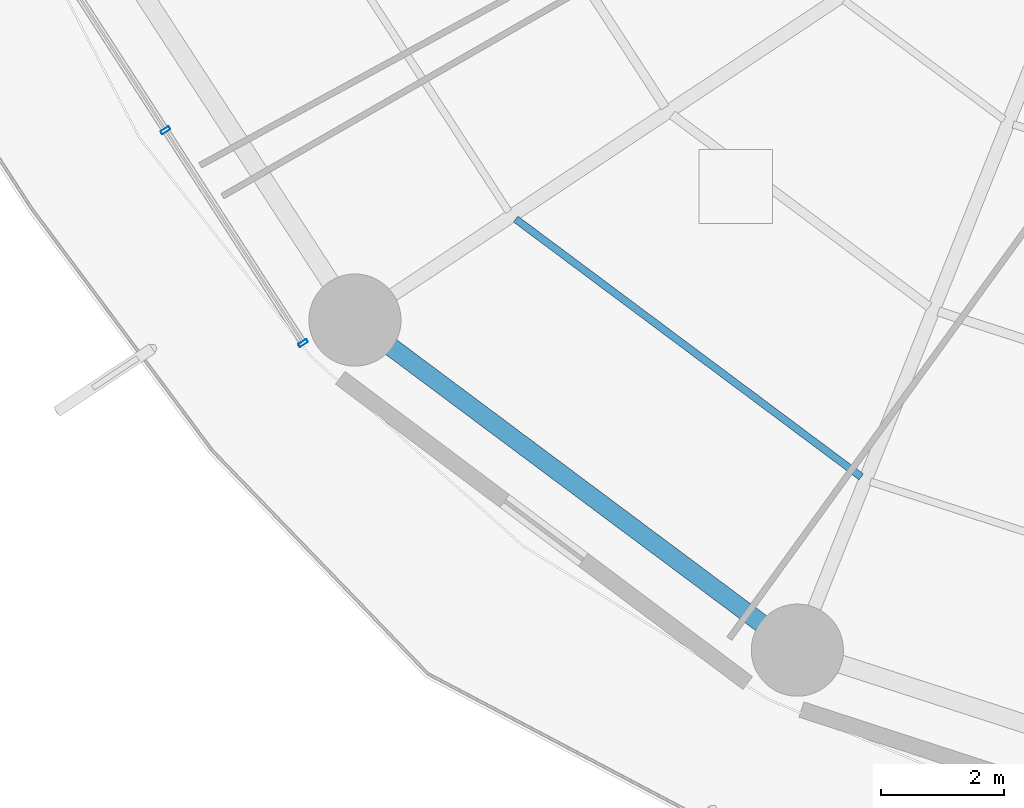
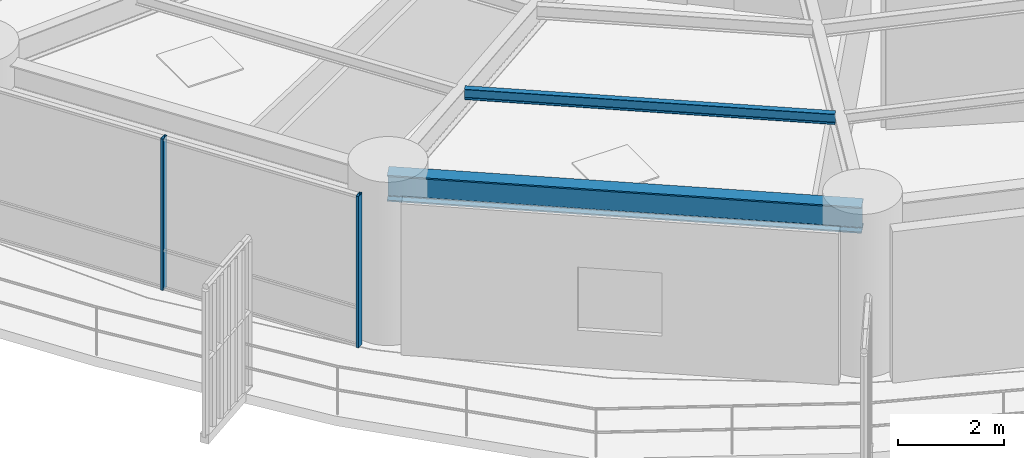
# One storey, part 2 of 33: 2 beams, 2 members, 1 element without a shape of its own.
"""IFC4 building model written with IfcOpenShell, lengths in metres."""

import ifcopenshell
import ifcopenshell.guid

model = None  # the IFC model being written
_history = None  # IfcOwnerHistory: only IFC2X3 demands one
_inside = {}  # id of a spatial element -> (the spatial element, [elements in it])
_under = {}  # id of a project, library or spatial element -> (it, [spatial elements below it])
_declared = {}  # id of a project -> (the project, [libraries it declares])
_typed = {}  # id of a type object -> (the type object, [elements of that type])
_made_of = {}  # id of a material, layer set ... -> (it, [elements and type objects made of it])


def new_model(schema):
    """Start an empty IFC model of exactly this schema.

    Asked for "IFC4X3", IfcOpenShell would pick the latest addendum, in which some entities
    have other attributes; the version numbers below select the first issue.
    IFC2X3 requires an IfcOwnerHistory on every rooted entity: one is made here for all.
    """
    global model, _history
    if schema == "IFC4X3":
        model = ifcopenshell.file(schema_version=(4, 3, 0, 0))
    else:
        model = ifcopenshell.file(schema=schema)
    _inside.clear()
    _under.clear()
    _declared.clear()
    _typed.clear()
    _made_of.clear()
    _history = None
    if model.schema == "IFC2X3":
        org = make("IfcOrganization", Name="unknown")
        user = make(
            "IfcPersonAndOrganization",
            ThePerson=make("IfcPerson", FamilyName="unknown"),
            TheOrganization=org,
        )
        app = make(
            "IfcApplication",
            ApplicationDeveloper=org,
            Version="unknown",
            ApplicationFullName="unknown",
            ApplicationIdentifier="unknown",
        )
        _history = make(
            "IfcOwnerHistory",
            OwningUser=user,
            OwningApplication=app,
            ChangeAction="ADDED",
            CreationDate=0,
        )
    return model


def make(cls, **values):
    """One entity of the class cls with the attributes given. An attribute that is None is left unset."""
    return model.create_entity(
        cls, **{name: value for name, value in values.items() if value is not None}
    )


def rooted(cls, **values):
    """An entity with a GlobalId (a new one), such as an element, a storey or a relation."""
    return make(cls, GlobalId=ifcopenshell.guid.new(), OwnerHistory=_history, **values)


def si_unit(unit_type, name, prefix=None):
    """IfcSIUnit, for example si_unit("LENGTHUNIT", "METRE", prefix="MILLI")."""
    return make("IfcSIUnit", UnitType=unit_type, Prefix=prefix, Name=name)


def assignment(units):
    """IfcUnitAssignment: the units of a project."""
    return None if units is None else make("IfcUnitAssignment", Units=units)


def point(xyz):
    """IfcCartesianPoint."""
    return None if xyz is None else make("IfcCartesianPoint", Coordinates=xyz)


def direction(xyz):
    """IfcDirection."""
    return None if xyz is None else make("IfcDirection", DirectionRatios=xyz)


def frame(location, z_axis=None, x_axis=None):
    """IfcAxis2Placement3D, a coordinate frame: its origin and axes. An axis left out is left unset."""
    return make(
        "IfcAxis2Placement3D",
        Location=point(location),
        Axis=direction(z_axis),
        RefDirection=direction(x_axis),
    )


def frame_2d(location, x_axis=None):
    """IfcAxis2Placement2D, a coordinate frame in the plane: its origin and x axis."""
    return make(
        "IfcAxis2Placement2D", Location=point(location), RefDirection=direction(x_axis)
    )


def origin():
    """The frame at (0, 0, 0) with its axes left unset."""
    return frame((0.0, 0.0, 0.0))


def origin_2d():
    """The frame at (0, 0) in the plane with its x axis left unset."""
    return frame_2d((0.0, 0.0))


def place(relative_to, where):
    """IfcLocalPlacement: puts the frame where relative to a parent placement (None: the world)."""
    return make(
        "IfcLocalPlacement", PlacementRelTo=relative_to, RelativePlacement=where
    )


def context(
    kind, dimensions, precision=None, world=None, true_north=None, identifier=None
):
    """IfcGeometricRepresentationContext, for example the 3D "Model" context."""
    return make(
        "IfcGeometricRepresentationContext",
        ContextIdentifier=identifier,
        ContextType=kind,
        CoordinateSpaceDimension=dimensions,
        Precision=precision,
        WorldCoordinateSystem=world,
        TrueNorth=true_north,
    )


def subcontext(parent, identifier, kind, view, scale=None):
    """IfcGeometricRepresentationSubContext, for example "Body" below "Model"."""
    return make(
        "IfcGeometricRepresentationSubContext",
        ContextIdentifier=identifier,
        ContextType=kind,
        ParentContext=parent,
        TargetScale=scale,
        TargetView=view,
    )


def project(units=None, contexts=None):
    """IfcProject with its units and contexts."""
    return rooted(
        "IfcProject",
        Name="project",
        RepresentationContexts=contexts,
        UnitsInContext=assignment(units),
    )


def spatial(cls, under=None, at=None, **own):
    """A site, building, storey or space (cls), placed at a placement, below another one or the project."""
    s = rooted(cls, ObjectPlacement=at, **own)
    if under is not None:
        _under.setdefault(under.id(), (under, []))[1].append(s)
    return s


def profile(cls, at=None, kind="AREA", **sizes):
    """A parametric profile (cls). Its sizes go by their IFC names, for example OverallWidth=200.0."""
    return make(cls, ProfileType=kind, Position=at, **sizes)


def hollow_rectangle(**sizes):
    """IfcRectangleHollowProfileDef."""
    return profile("IfcRectangleHollowProfileDef", **sizes)


def i_section(**sizes):
    """IfcIShapeProfileDef."""
    return profile("IfcIShapeProfileDef", **sizes)


def extrude(swept, where, along, depth):
    """IfcExtrudedAreaSolid: the profile swept, set in the frame where, extruded along a direction by depth."""
    return make(
        "IfcExtrudedAreaSolid",
        SweptArea=swept,
        Position=where,
        ExtrudedDirection=direction(along),
        Depth=depth,
    )


def shape(context_of_items, identifier, shape_type, items):
    """IfcShapeRepresentation: the items that make up one representation, for example the "Body"."""
    return make(
        "IfcShapeRepresentation",
        ContextOfItems=context_of_items,
        RepresentationIdentifier=identifier,
        RepresentationType=shape_type,
        Items=items,
    )


def material(Name=None, Category=None):
    """IfcMaterial."""
    return make("IfcMaterial", Name=Name, Category=Category)


def layer(
    of_material, thickness, ventilated=None, Name=None, Category=None, Priority=None
):
    """IfcMaterialLayer: one layer of a wall or slab, of a material (None: an air gap)."""
    return make(
        "IfcMaterialLayer",
        Material=of_material,
        LayerThickness=thickness,
        IsVentilated=ventilated,
        Name=Name,
        Category=Category,
        Priority=Priority,
    )


def layer_set(layers, Name=None):
    """IfcMaterialLayerSet."""
    return make("IfcMaterialLayerSet", MaterialLayers=layers, LayerSetName=Name)


def material_profile(
    of_material, cross_section, Name=None, Category=None, Priority=None
):
    """IfcMaterialProfile: a cross section and its material."""
    return make(
        "IfcMaterialProfile",
        Name=Name,
        Material=of_material,
        Profile=cross_section,
        Priority=Priority,
        Category=Category,
    )


def profile_set(profiles, Name=None, composite=None):
    """IfcMaterialProfileSet."""
    return make(
        "IfcMaterialProfileSet",
        Name=Name,
        MaterialProfiles=profiles,
        CompositeProfile=composite,
    )


def made_of(thing, what):
    """Note that an element or type object is made of a material, layer set ...; save() writes the relation."""
    if what is not None:
        _made_of.setdefault(what.id(), (what, []))[1].append(thing)
    return thing


def type_object(cls, material=None, **own):
    """A type object (cls), such as IfcWallType, which elements share."""
    return made_of(rooted(cls, **own), material)


def element(
    cls,
    number,
    at=None,
    inside=None,
    cuts=None,
    type_object=None,
    material=None,
    context=None,
    identifier="Body",
    shape_type=None,
    held_by="IfcProductDefinitionShape",
    body=None,
    shapes=None,
    **own,
):
    """One element of the class cls, such as IfcWall. Its Tag is "e" and its number.

    at: its placement. inside: the storey or other place that contains it. cuts: it is an
    opening in that element (IfcRelVoidsElement). A single representation is given by context,
    identifier, shape_type and body (its items); several are given by shapes. held_by: the class
    of the entity that holds the representations. save() writes the other relations.
    """
    e = rooted(cls, Tag="e%d" % number, ObjectPlacement=at, **own)
    if body is not None:
        shapes = [shape(context, identifier, shape_type, body)]
    if shapes is not None:
        e.Representation = make(held_by, Representations=shapes)
    if inside is not None:
        _inside.setdefault(inside.id(), (inside, []))[1].append(e)
    if cuts is not None:
        rooted(
            "IfcRelVoidsElement", RelatingBuildingElement=cuts, RelatedOpeningElement=e
        )
    if type_object is not None:
        _typed.setdefault(type_object.id(), (type_object, []))[1].append(e)
    return made_of(e, material)


def aggregate(whole, parts):
    """IfcRelAggregates: a whole, such as a stair, and the parts it consists of."""
    return rooted("IfcRelAggregates", RelatingObject=whole, RelatedObjects=parts)


def save(model, path):
    """Write the relations noted so far, then the file.

    IfcRelAggregates (storeys below a building ...), IfcRelContainedInSpatialStructure (elements
    in a storey), IfcRelDefinesByType, IfcRelAssociatesMaterial and IfcRelDeclares: one each for
    every whole, place, type object, material and project.
    """
    for whole, parts in _under.values():
        aggregate(whole, parts)
    for where, things in _inside.values():
        rooted(
            "IfcRelContainedInSpatialStructure",
            RelatedElements=things,
            RelatingStructure=where,
        )
    for kind, things in _typed.values():
        rooted("IfcRelDefinesByType", RelatedObjects=things, RelatingType=kind)
    for what, things in _made_of.values():
        rooted("IfcRelAssociatesMaterial", RelatedObjects=things, RelatingMaterial=what)
    for by, libraries in _declared.values():
        rooted("IfcRelDeclares", RelatingContext=by, RelatedDefinitions=libraries)
    model.write(path)


model = new_model("IFC4")

# Units and contexts
model_context = context("Model", 3, precision=1e-05, world=origin(), true_north=direction((0.0, 1.0)))
body_context = subcontext(model_context, "Body", "Model", "MODEL_VIEW")
ifc_project = project(units=[si_unit("LENGTHUNIT", "METRE"), si_unit("AREAUNIT", "SQUARE_METRE"), si_unit("VOLUMEUNIT", "CUBIC_METRE"), si_unit("PLANEANGLEUNIT", "RADIAN"), si_unit("MASSUNIT", "GRAM", prefix="KILO")], contexts=[model_context])

# Site, building, storey
site_placement = place(None, origin())
site = spatial("IfcSite", under=ifc_project, at=site_placement, CompositionType="ELEMENT")
building_placement = place(site_placement, origin())
building = spatial("IfcBuilding", under=site, at=building_placement, Name="Kelanora Arch Commons", CompositionType="ELEMENT")
storey_placement = place(building_placement, frame((0.0, 0.0, 45.0)))
storey = spatial("IfcBuildingStorey", under=building, at=storey_placement, Name="L11", CompositionType="ELEMENT", Elevation=45.0)

# Beams
ifc_material_1 = material(Name="Steel S355", Category="steel")
ifc_material_profile_1 = material_profile(ifc_material_1, i_section(OverallWidth=0.1201171875, OverallDepth=0.239990234375, WebThickness=0.006103515625, FlangeThickness=0.009765625, FilletRadius=0.014892578125, at=origin_2d()), Name="IPE240")
ifc_profile_set_1 = profile_set([ifc_material_profile_1], Name="Steel S355")
beam_type_1 = type_object("IfcBeamType", Name="BM-JST-02", PredefinedType="JOIST", material=ifc_profile_set_1)
beam_1_placement = place(storey_placement, frame((55.87255859375, 44.16650390625, 3.3701171875), z_axis=(0.80149131963, -0.598006408459, 0.0), x_axis=(0.598006408459, 0.80149131963, 0.0)))
element("IfcBeam", 1, at=beam_1_placement, inside=storey, type_object=beam_type_1, Name="Secondary Chord Joist BJC-22 L11", PredefinedType="JOIST", context=body_context, shape_type="SweptSolid", body=[
    extrude(i_section(OverallWidth=0.1201171875, OverallDepth=0.239990234375, WebThickness=0.006103515625, FlangeThickness=0.009765625, FilletRadius=0.014892578125, at=origin_2d()), origin(), (0.0, 0.0, 1.0), 7.021240234375),
])
ifc_material_profile_2 = material_profile(ifc_material_1, i_section(OverallWidth=0.300048828125, OverallDepth=0.60009765625, WebThickness=0.015380859375, FlangeThickness=0.030029296875, FilletRadius=0.027099609375, at=origin_2d()), Name="HEB600")
ifc_profile_set_2 = profile_set([ifc_material_profile_2], Name="Steel S355")
beam_type_2 = type_object("IfcBeamType", Name="BM-SPN-Z1", PredefinedType="SPANDREL", material=ifc_profile_set_2)
beam_2_placement = place(storey_placement, frame((53.255615234375, 42.521728515625, 3.18994140625), z_axis=(0.801467504127, -0.598038326388, 0.0), x_axis=(0.598038326388, 0.801467504127, 0.0)))
element("IfcBeam", 2, at=beam_2_placement, inside=storey, type_object=beam_type_2, Name="Perimeter Spandrel Beam BS-22 L11", PredefinedType="SPANDREL", context=body_context, shape_type="SweptSolid", body=[
    extrude(i_section(OverallWidth=0.300048828125, OverallDepth=0.60009765625, WebThickness=0.015380859375, FlangeThickness=0.030029296875, FilletRadius=0.027099609375, at=origin_2d()), origin(), (0.0, 0.0, 1.0), 8.989013671875),
])

# Curtain wall, members
ifc_material_2 = material(Name="Terracotta ceramic-fritted low-E glass and aluminium", Category="masonry")
ifc_layer = layer(ifc_material_2, 0.159912109375)
ifc_layer_set = layer_set([ifc_layer], Name="Terracotta ceramic-fritted low-E glass and aluminium")
curtain_wall_type = type_object("IfcCurtainWallType", Name="CW-SYS-01", PredefinedType="NOTDEFINED", material=ifc_layer_set)
curtain_wall_placement = place(storey_placement, origin())
curtain_wall = element("IfcCurtainWall", 3, at=curtain_wall_placement, inside=storey, type_object=curtain_wall_type, Name="Unitised Curtain Wall L11-B10", PredefinedType="NOTDEFINED")
ifc_material_3 = material(Name="Powder-coated aluminium terracotta", Category="masonry")
ifc_material_profile_3 = material_profile(ifc_material_3, hollow_rectangle(XDim=0.159912109375, YDim=0.06005859375, WallThickness=0.0048828125, InnerFilletRadius=0.0048828125, OuterFilletRadius=0.010009765625, at=origin_2d()), Name="CWM160x60")
ifc_profile_set_3 = profile_set([ifc_material_profile_3], Name="Powder-coated aluminium terracotta")
member_type = type_object("IfcMemberType", Name="CWM-STD", PredefinedType="MULLION", material=ifc_profile_set_3)
member_1_placement = place(storey_placement, frame((50.169189453125, 45.61328125, 0.0), z_axis=(0.0, 0.0, 1.0), x_axis=(0.83972982332, 0.543004441812, 0.0)))
member_1 = element("IfcMember", 4, at=member_1_placement, type_object=member_type, Name="CW-01 mullion 2", PredefinedType="MULLION", context=body_context, shape_type="SweptSolid", body=[
    extrude(hollow_rectangle(XDim=0.159912109375, YDim=0.06005859375, WallThickness=0.0048828125, InnerFilletRadius=0.0048828125, OuterFilletRadius=0.010009765625, at=origin_2d()), origin(), (0.0, 0.0, 1.0), 3.47509765625),
])
member_2_placement = place(storey_placement, frame((52.41064453125, 42.14697265625, 0.0), z_axis=(0.0, 0.0, 1.0), x_axis=(0.83972982332, 0.543004441812, 0.0)))
member_2 = element("IfcMember", 5, at=member_2_placement, type_object=member_type, Name="CW-01 mullion 3", PredefinedType="MULLION", context=body_context, shape_type="SweptSolid", body=[
    extrude(hollow_rectangle(XDim=0.159912109375, YDim=0.06005859375, WallThickness=0.0048828125, InnerFilletRadius=0.0048828125, OuterFilletRadius=0.010009765625, at=origin_2d()), origin(), (0.0, 0.0, 1.0), 3.47509765625),
])
aggregate(curtain_wall, [member_1, member_2])

save(model, "model.ifc")
